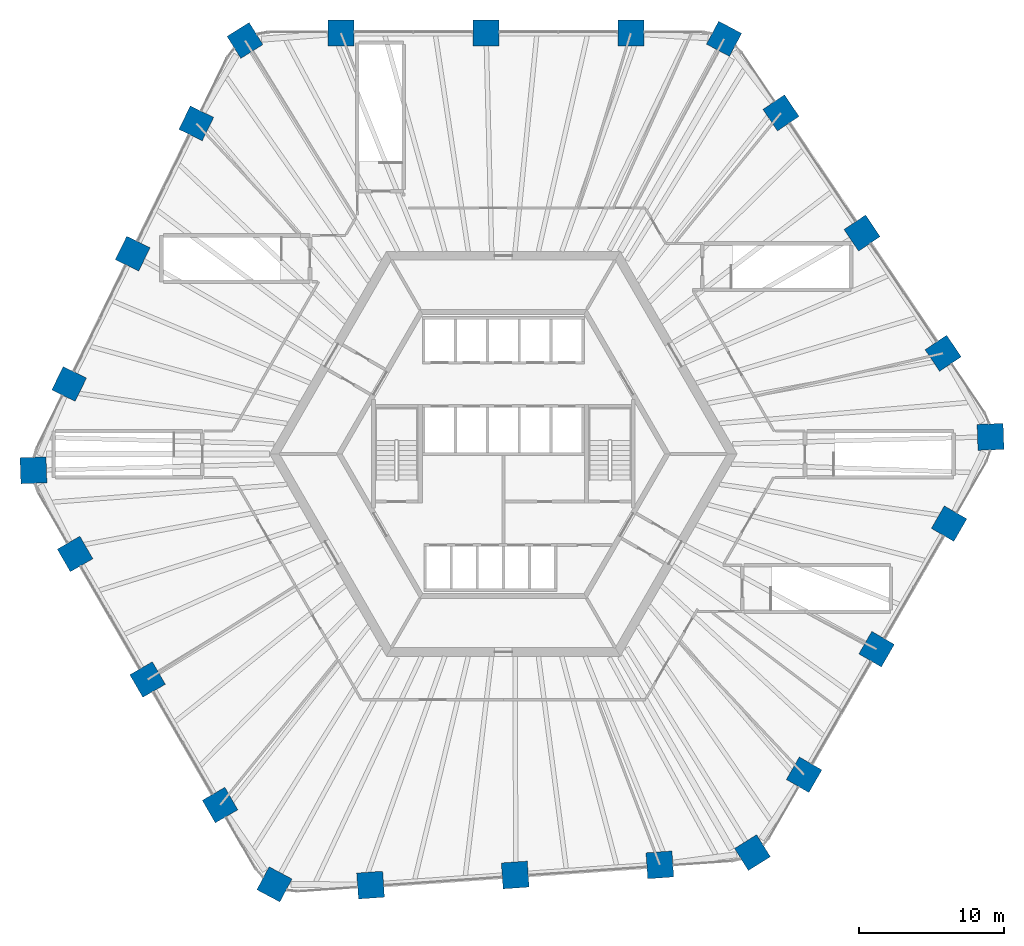
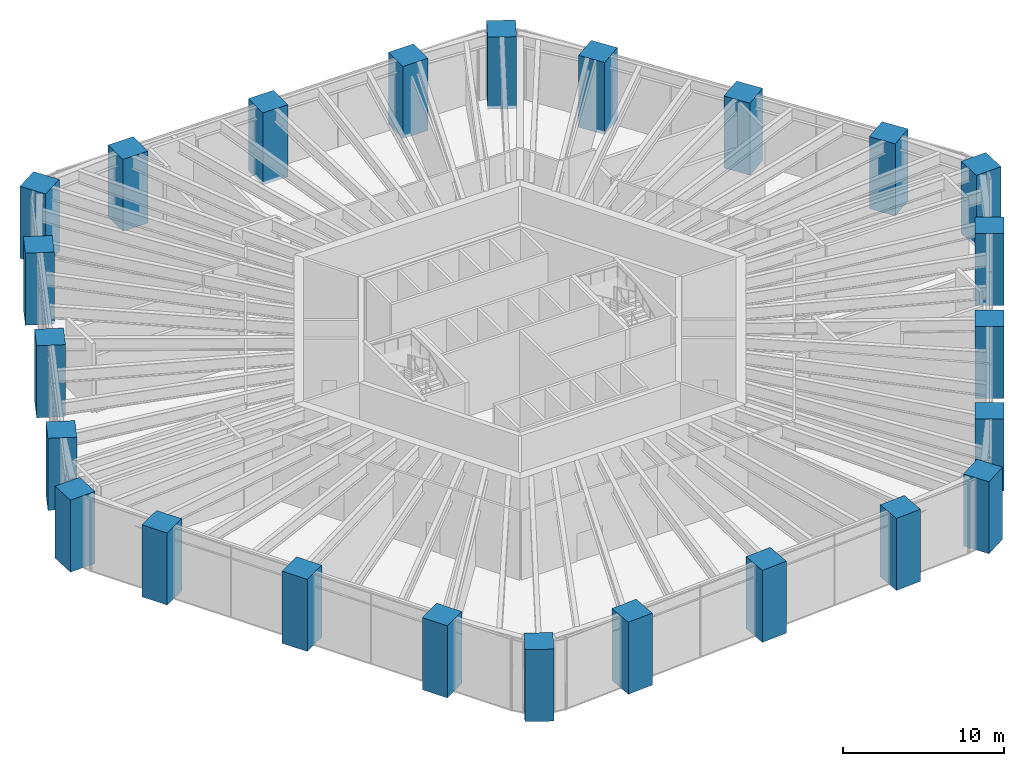
# One storey, part 1 of 25: 24 columns.
"""IFC4 building model written with IfcOpenShell, lengths in metres."""

from ifc_helpers import new_model, si_unit, direction, frame, origin, origin_2d, place, context, subcontext, project, spatial, rectangle, extrude, material, material_profile, profile_set, type_object, element, save


model = new_model("IFC4")

# Units and contexts
model_context = context("Model", 3, precision=1e-05, world=origin(), true_north=direction((0.0, 1.0)))
body_context = subcontext(model_context, "Body", "Model", "MODEL_VIEW")
ifc_project = project(units=[si_unit("LENGTHUNIT", "METRE"), si_unit("AREAUNIT", "SQUARE_METRE"), si_unit("VOLUMEUNIT", "CUBIC_METRE"), si_unit("PLANEANGLEUNIT", "RADIAN"), si_unit("MASSUNIT", "GRAM", prefix="KILO")], contexts=[model_context])

# Site, building, storey
site_placement = place(None, origin())
site = spatial("IfcSite", under=ifc_project, at=site_placement, CompositionType="ELEMENT")
building_placement = place(site_placement, origin())
building = spatial("IfcBuilding", under=site, at=building_placement, Name="Tarnside Tower", CompositionType="ELEMENT")
storey_placement = place(building_placement, frame((0.0, 0.0, 26.0)))
storey = spatial("IfcBuildingStorey", under=building, at=storey_placement, Name="L04", CompositionType="ELEMENT", Elevation=26.0)

# Columns
ifc_material = material(Name="Concrete C80/95", Category="concrete")
ifc_material_profile = material_profile(ifc_material, rectangle(XDim=1.800048828125, YDim=1.800048828125, at=origin_2d()), Name="Mega column 1800x1800")
ifc_profile_set = profile_set([ifc_material_profile], Name="Concrete C80/95")
column_type = type_object("IfcColumnType", Name="Mega column 1800 C80/95", PredefinedType="COLUMN", material=ifc_profile_set)
for number, where, z_axis, x_axis, name in (
    (1, (8.8125, 29.10009765625, -0.25), (0.0, 0.0, 1.0), (1.0, 0.0, 0.0), "Mega column M01"),
    (2, (-1.211181640625, 29.10009765625, -0.25), (0.0, 0.0, 1.0), (1.0, 0.0, 0.0), "Mega column M02"),
    (3, (-11.23486328125, 29.10009765625, -0.25), (0.0, 0.0, 1.0), (1.0, 0.0, 0.0), "Mega column M03"),
    (4, (-17.861083984375, 28.58349609375, -0.25), (0.0, 0.0, 1.0), (0.848048096156, 0.529919264233, 0.0), "Mega column M04"),
    (5, (-21.22998046875, 22.854248046875, -0.25), (0.0, 0.0, 1.0), (0.438371146789, 0.898794046299, 0.0), "Mega column M05"),
    (6, (-25.6240234375, 13.84521484375, -0.25), (0.0, 0.0, 1.0), (0.438371146789, 0.898794046299, 0.0), "Mega column M06"),
    (7, (-30.01806640625, 4.8359375, -0.25), (0.0, 0.0, 1.0), (0.438371146789, 0.898794046299, 0.0), "Mega column M07"),
    (8, (-32.486083984375, -1.134521484375, -0.25), (0.0, 0.0, 1.0), (-0.034899496703, 0.999390827019, 0.0), "Mega column M08"),
    (9, (-29.607666015625, -6.918212890625, -0.25), (0.0, 0.0, 1.0), (-0.5, 0.866025403784, 0.0), "Mega column M09"),
    (10, (-24.595703125, -15.598876953125, -0.25), (0.0, 0.0, 1.0), (-0.5, 0.866025403784, 0.0), "Mega column M10"),
    (11, (-19.583984375, -24.279541015625, -0.25), (0.0, 0.0, 1.0), (-0.5, 0.866025403784, 0.0), "Mega column M11"),
    (12, (-15.823486328125, -29.759765625, -0.25), (0.0, 0.0, 1.0), (-0.882947592859, 0.469471562786, 0.0), "Mega column M12"),
    (13, (-9.177490234375, -29.812744140625, -0.25), (0.0, 0.0, 1.0), (-0.99756405026, -0.069756473744, 0.0), "Mega column M13"),
    (14, (0.82177734375, -29.113525390625, -0.25), (0.0, 0.0, 1.0), (-0.99756405026, -0.069756473744, 0.0), "Mega column M14"),
    (15, (10.821044921875, -28.414306640625, -0.25), (0.0, 0.0, 1.0), (-0.99756405026, -0.069756473744, 0.0), "Mega column M15"),
    (16, (17.225341796875, -27.56640625, -0.25), (0.0, 0.0, 1.0), (-0.848048096156, -0.529919264233, 0.0), "Mega column M16"),
    (17, (20.794921875, -22.181884765625, -0.25), (0.0, 0.0, 1.0), (-0.5, -0.866025403784, 0.0), "Mega column M17"),
    (18, (25.806884765625, -13.501220703125, -0.25), (0.0, 0.0, 1.0), (-0.5, -0.866025403784, 0.0), "Mega column M18"),
    (19, (30.818603515625, -4.8203125, -0.25), (0.0, 0.0, 1.0), (-0.5, -0.866025403784, 0.0), "Mega column M19"),
    (20, (33.6845703125, 1.17626953125, -0.25), (0.0, 0.0, 1.0), (0.034899496703, -0.999390827019, 0.0), "Mega column M20"),
    (21, (30.407470703125, 6.95849609375, -0.25), (0.0, 0.0, 1.0), (0.559192903471, -0.829037572555, 0.0), "Mega column M21"),
    (22, (24.80224609375, 15.2685546875, -0.25), (0.0, 0.0, 1.0), (0.559192903471, -0.829037572555, 0.0), "Mega column M22"),
    (23, (19.197021484375, 23.57861328125, -0.25), (0.0, 0.0, 1.0), (0.559192903471, -0.829037572555, 0.0), "Mega column M23"),
    (24, (15.260498046875, 28.700927734375, -0.25), (0.0, 0.0, 1.0), (0.882947592859, -0.469471562786, 0.0), "Mega column M24"),
):
    element("IfcColumn", number, at=place(storey_placement, frame(where, z_axis=z_axis, x_axis=x_axis)), inside=storey, type_object=column_type, Name=name, PredefinedType="COLUMN", context=body_context, shape_type="SweptSolid", body=[
        extrude(rectangle(XDim=1.800048828125, YDim=1.800048828125, at=origin_2d()), origin(), (0.0, 0.0, 1.0), 5.449951171875),
    ])

save(model, "model.ifc")
